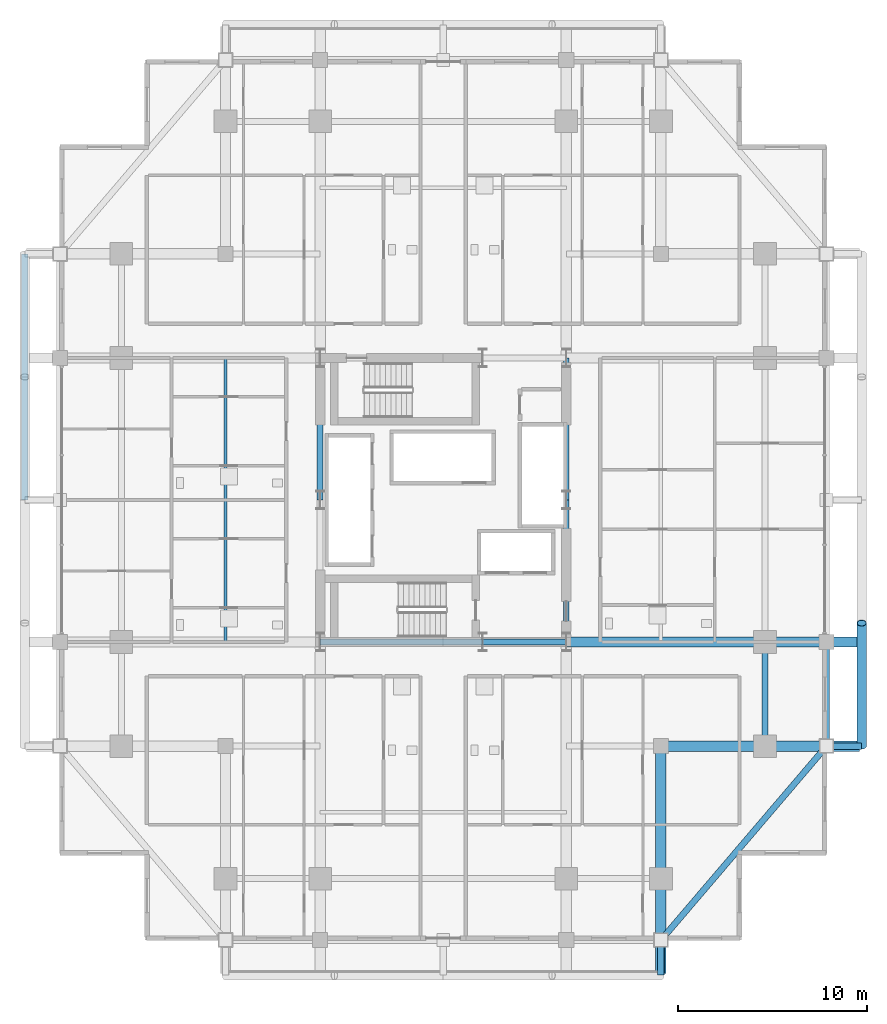
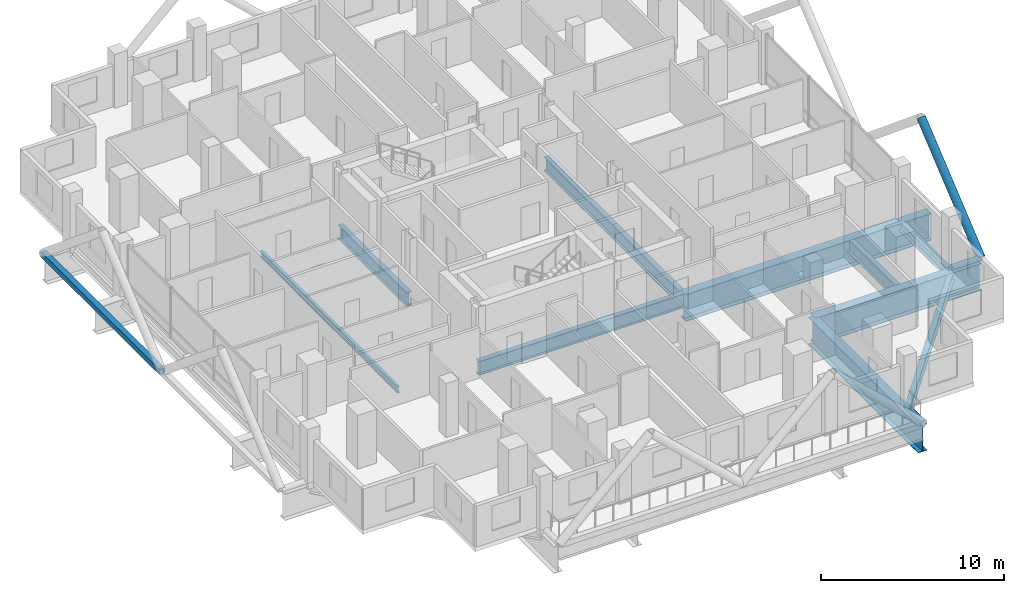
# One storey, part 6 of 21: 12 beams, 4 members.
"""IFC4 building model written with IfcOpenShell, lengths in metres."""

from ifc_helpers import new_model, si_unit, direction, frame, origin, origin_2d, place, context, subcontext, project, spatial, hollow_rectangle, hollow_circle, i_section, extrude, material, material_profile, profile_set, type_object, element, save


model = new_model("IFC4")

# Units and contexts
model_context = context("Model", 3, precision=1e-05, world=origin(), true_north=direction((0.0, 1.0)))
body_context = subcontext(model_context, "Body", "Model", "MODEL_VIEW")
ifc_project = project(units=[si_unit("LENGTHUNIT", "METRE"), si_unit("AREAUNIT", "SQUARE_METRE"), si_unit("VOLUMEUNIT", "CUBIC_METRE"), si_unit("PLANEANGLEUNIT", "RADIAN"), si_unit("MASSUNIT", "GRAM", prefix="KILO")], contexts=[model_context])

# Site, building, storey
site_placement = place(None, origin())
site = spatial("IfcSite", under=ifc_project, at=site_placement, CompositionType="ELEMENT")
building_placement = place(site_placement, origin())
building = spatial("IfcBuilding", under=site, at=building_placement, Name="Barlavira Tower and Art Museum", CompositionType="ELEMENT")
storey_placement = place(building_placement, frame((0.0, 0.0, 99.0)))
storey = spatial("IfcBuildingStorey", under=building, at=storey_placement, Name="L24", CompositionType="ELEMENT", Elevation=99.0)

# Members
ifc_material = material(Name="Steel S355", Category="steel")
ifc_material_profile_1 = material_profile(ifc_material, hollow_circle(Radius=0.25390625, WallThickness=0.022216796875, at=origin_2d()), Name="CHS 508.0x22.2")
ifc_profile_set_1 = profile_set([ifc_material_profile_1], Name="Steel S355")
member_type_1 = type_object("IfcMemberType", Name="Pale-Metal Exoskeleton Diagrid Tube CHS 508x22 Steel S355", PredefinedType="BRACE", material=ifc_profile_set_1)
member_1_placement = place(storey_placement, frame((22.10009765625, -13.0, -0.1201171875), z_axis=(0.0, 0.76918185268, 0.639029950399), x_axis=(-1.0, 0.0, 0.0)))
element("IfcMember", 1, at=member_1_placement, inside=storey, type_object=member_type_1, Name="L24 Exoskeleton Diagrid Tube E", PredefinedType="BRACE", context=body_context, shape_type="SweptSolid", body=[
    extrude(hollow_circle(Radius=0.25390625, WallThickness=0.022216796875, at=origin_2d()), origin(), (0.0, 0.0, 1.0), 8.450439453125),
])
ifc_material_profile_2 = material_profile(ifc_material, hollow_rectangle(XDim=0.35009765625, YDim=0.35009765625, WallThickness=0.02001953125, at=origin_2d()), Name="SHS 350x350x20.0")
ifc_profile_set_2 = profile_set([ifc_material_profile_2], Name="Steel S355")
member_type_2 = type_object("IfcMemberType", Name="Pale-Metal Exoskeleton Ring Strut SHS 350x350x20 Steel S355", PredefinedType="STRUT", material=ifc_profile_set_2)
member_2_placement = place(storey_placement, frame((-22.10009765625, 0.0, -0.1201171875), z_axis=(0.0, 1.0, 0.0), x_axis=(-1.0, 0.0, 0.0)))
element("IfcMember", 2, at=member_2_placement, inside=storey, type_object=member_type_2, Name="L24 Exoskeleton Ring Strut W", PredefinedType="STRUT", context=body_context, shape_type="SweptSolid", body=[
    extrude(hollow_rectangle(XDim=0.35009765625, YDim=0.35009765625, WallThickness=0.02001953125, at=origin_2d()), origin(), (0.0, 0.0, 1.0), 13.0),
])
ifc_material_profile_3 = material_profile(ifc_material, hollow_circle(Radius=0.177734375, WallThickness=0.01611328125, at=origin_2d()), Name="CHS 355.6x16.0")
ifc_profile_set_3 = profile_set([ifc_material_profile_3], Name="Steel S355")
member_type_3 = type_object("IfcMemberType", Name="Pale-Metal Exoskeleton Tie Strut CHS 356x16 Steel S355", PredefinedType="STRUT", material=ifc_profile_set_3)
for number, where, z_axis, x_axis, name in (
    (3, (11.5, -25.10009765625, -0.1201171875), (0.0, 1.0, 0.0), (-1.0, 0.0, 0.0), "L24 Exoskeleton Tie Strut S3"),
    (4, (22.10009765625, -13.0, -0.1201171875), (-1.0, 0.0, 0.0), (0.0, -1.0, 0.0), "L24 Exoskeleton Tie Strut E1"),
):
    element("IfcMember", number, at=place(storey_placement, frame(where, z_axis=z_axis, x_axis=x_axis)), inside=storey, type_object=member_type_3, Name=name, PredefinedType="STRUT", context=body_context, shape_type="SweptSolid", body=[
        extrude(hollow_circle(Radius=0.177734375, WallThickness=0.01611328125, at=origin_2d()), origin(), (0.0, 0.0, 1.0), 1.85009765625),
    ])

# Beams
ifc_material_profile_4 = material_profile(ifc_material, i_section(OverallWidth=0.327880859375, OverallDepth=0.62890625, WebThickness=0.013916015625, FlangeThickness=0.021484375, at=origin_2d()), Name="W610x174.0")
ifc_profile_set_4 = profile_set([ifc_material_profile_4], Name="Steel S355")
beam_type_1 = type_object("IfcBeamType", Name="Perimeter Spandrel Edge Beam W610x174 Steel S355", PredefinedType="SPANDREL", material=ifc_profile_set_4)
beam_1_placement = place(storey_placement, frame((11.5, -23.25, -0.614501953125), z_axis=(0.649262379928, 0.760564502202, 0.0), x_axis=(-0.760564502202, 0.649262379928, 0.0)))
element("IfcBeam", 5, at=beam_1_placement, inside=storey, type_object=beam_type_1, Name="L24 Spandrel 4", PredefinedType="SPANDREL", context=body_context, shape_type="SweptSolid", body=[
    extrude(i_section(OverallWidth=0.327880859375, OverallDepth=0.62890625, WebThickness=0.013916015625, FlangeThickness=0.021484375, at=origin_2d()), origin(), (0.0, 0.0, 1.0), 13.476806640625),
])
beam_2_placement = place(storey_placement, frame((20.25, -13.0, -0.614501953125), z_axis=(0.0, 1.0, 0.0), x_axis=(-1.0, 0.0, 0.0)))
element("IfcBeam", 6, at=beam_2_placement, inside=storey, type_object=beam_type_1, Name="L24 Spandrel 5", PredefinedType="SPANDREL", context=body_context, shape_type="SweptSolid", body=[
    extrude(i_section(OverallWidth=0.327880859375, OverallDepth=0.62890625, WebThickness=0.013916015625, FlangeThickness=0.021484375, at=origin_2d()), origin(), (0.0, 0.0, 1.0), 5.5),
])
ifc_material_profile_5 = material_profile(ifc_material, i_section(OverallWidth=0.30908203125, OverallDepth=0.931884765625, WebThickness=0.01953125, FlangeThickness=0.034423828125, at=origin_2d()), Name="W920x313.0")
ifc_profile_set_5 = profile_set([ifc_material_profile_5], Name="Steel S355")
beam_type_2 = type_object("IfcBeamType", Name="Setback Ring Girder W920x313 Steel S355", PredefinedType="BEAM", material=ifc_profile_set_5)
beam_3_placement = place(storey_placement, frame((-6.5, -7.5, -0.76611328125), z_axis=(1.0, 0.0, 0.0), x_axis=(0.0, 1.0, 0.0)))
element("IfcBeam", 7, at=beam_3_placement, inside=storey, type_object=beam_type_2, Name="L24 Girder C-S1", PredefinedType="BEAM", context=body_context, shape_type="SweptSolid", body=[
    extrude(i_section(OverallWidth=0.30908203125, OverallDepth=0.931884765625, WebThickness=0.01953125, FlangeThickness=0.034423828125, at=origin_2d()), origin(), (0.0, 0.0, 1.0), 8.580078125),
])
beam_4_placement = place(storey_placement, frame((2.080078125, -7.5, -0.76611328125), z_axis=(1.0, 0.0, 0.0), x_axis=(0.0, 1.0, 0.0)))
element("IfcBeam", 8, at=beam_4_placement, inside=storey, type_object=beam_type_2, Name="L24 Girder C-S2", PredefinedType="BEAM", context=body_context, shape_type="SweptSolid", body=[
    extrude(i_section(OverallWidth=0.30908203125, OverallDepth=0.931884765625, WebThickness=0.01953125, FlangeThickness=0.034423828125, at=origin_2d()), origin(), (0.0, 0.0, 1.0), 4.419921875),
])
for number, where, z_axis, x_axis, name in (
    (9, (-6.5, 0.0, -0.76611328125), (0.0, 1.0, 0.0), (-1.0, 0.0, 0.0), "L24 Girder C-W2"),
    (10, (6.5, -7.5, -0.76611328125), (0.0, 1.0, 0.0), (-1.0, 0.0, 0.0), "L24 Girder C-E1"),
    (11, (6.5, 0.0, -0.76611328125), (0.0, 1.0, 0.0), (-1.0, 0.0, 0.0), "L24 Girder C-E2"),
):
    element("IfcBeam", number, at=place(storey_placement, frame(where, z_axis=z_axis, x_axis=x_axis)), inside=storey, type_object=beam_type_2, Name=name, PredefinedType="BEAM", context=body_context, shape_type="SweptSolid", body=[
        extrude(i_section(OverallWidth=0.30908203125, OverallDepth=0.931884765625, WebThickness=0.01953125, FlangeThickness=0.034423828125, at=origin_2d()), origin(), (0.0, 0.0, 1.0), 7.5),
    ])
beam_5_placement = place(storey_placement, frame((17.0, -13.0, -0.76611328125), z_axis=(0.0, 1.0, 0.0), x_axis=(-1.0, 0.0, 0.0)))
element("IfcBeam", 12, at=beam_5_placement, inside=storey, type_object=beam_type_2, Name="L24 Girder M-E1", PredefinedType="BEAM", context=body_context, shape_type="SweptSolid", body=[
    extrude(i_section(OverallWidth=0.30908203125, OverallDepth=0.931884765625, WebThickness=0.01953125, FlangeThickness=0.034423828125, at=origin_2d()), origin(), (0.0, 0.0, 1.0), 5.5),
])
ifc_material_profile_6 = material_profile(ifc_material, i_section(OverallWidth=0.179931640625, OverallDepth=0.4130859375, WebThickness=0.009765625, FlangeThickness=0.01611328125, at=origin_2d()), Name="W410x75.0")
ifc_profile_set_6 = profile_set([ifc_material_profile_6], Name="Steel S355")
beam_type_3 = type_object("IfcBeamType", Name="Zone 2 Composite Floor Joist W410x75 Steel S355", PredefinedType="JOIST", material=ifc_profile_set_6)
beam_6_placement = place(storey_placement, frame((-11.5, -7.5, -0.506591796875), z_axis=(0.0, 1.0, 0.0), x_axis=(-1.0, 0.0, 0.0)))
element("IfcBeam", 13, at=beam_6_placement, inside=storey, type_object=beam_type_3, Name="L24 Joist W1", PredefinedType="JOIST", context=body_context, shape_type="SweptSolid", body=[
    extrude(i_section(OverallWidth=0.179931640625, OverallDepth=0.4130859375, WebThickness=0.009765625, FlangeThickness=0.01611328125, at=origin_2d()), origin(), (0.0, 0.0, 1.0), 15.0),
])
ifc_material_profile_7 = material_profile(ifc_material, i_section(OverallWidth=0.550048828125, OverallDepth=1.800048828125, WebThickness=0.02587890625, FlangeThickness=0.033935546875, at=origin_2d()), Name="CVS1800x520")
ifc_profile_set_7 = profile_set([ifc_material_profile_7], Name="Steel S355")
beam_type_4 = type_object("IfcBeamType", Name="Zone Setback Transfer Girder CVS1800x520 Steel S355", PredefinedType="USERDEFINED", material=ifc_profile_set_7)
beam_7_placement = place(storey_placement, frame((11.5, -25.0, -1.199951171875), z_axis=(0.0, 1.0, 0.0), x_axis=(-1.0, 0.0, 0.0)))
element("IfcBeam", 14, at=beam_7_placement, inside=storey, type_object=beam_type_4, Name="L24 Setback Transfer Girder TGL24-03", ObjectType="TRANSFER GIRDER", PredefinedType="USERDEFINED", context=body_context, shape_type="SweptSolid", body=[
    extrude(i_section(OverallWidth=0.550048828125, OverallDepth=1.800048828125, WebThickness=0.02587890625, FlangeThickness=0.033935546875, at=origin_2d()), origin(), (0.0, 0.0, 1.0), 12.0),
])
beam_8_placement = place(storey_placement, frame((11.5, -13.0, -1.199951171875), z_axis=(1.0, 0.0, 0.0), x_axis=(0.0, 1.0, 0.0)))
element("IfcBeam", 15, at=beam_8_placement, inside=storey, type_object=beam_type_4, Name="L24 Setback Transfer Girder TGL24-10", ObjectType="TRANSFER GIRDER", PredefinedType="USERDEFINED", context=body_context, shape_type="SweptSolid", body=[
    extrude(i_section(OverallWidth=0.550048828125, OverallDepth=1.800048828125, WebThickness=0.02587890625, FlangeThickness=0.033935546875, at=origin_2d()), origin(), (0.0, 0.0, 1.0), 10.5),
])
beam_9_placement = place(storey_placement, frame((6.5, -7.5, -1.199951171875), z_axis=(1.0, 0.0, 0.0), x_axis=(0.0, 1.0, 0.0)))
element("IfcBeam", 16, at=beam_9_placement, inside=storey, type_object=beam_type_4, Name="L24 Setback Transfer Girder TGL24-11A", ObjectType="TRANSFER GIRDER", PredefinedType="USERDEFINED", context=body_context, shape_type="SweptSolid", body=[
    extrude(i_section(OverallWidth=0.550048828125, OverallDepth=1.800048828125, WebThickness=0.02587890625, FlangeThickness=0.033935546875, at=origin_2d()), origin(), (0.0, 0.0, 1.0), 15.5),
])

save(model, "model.ifc")
